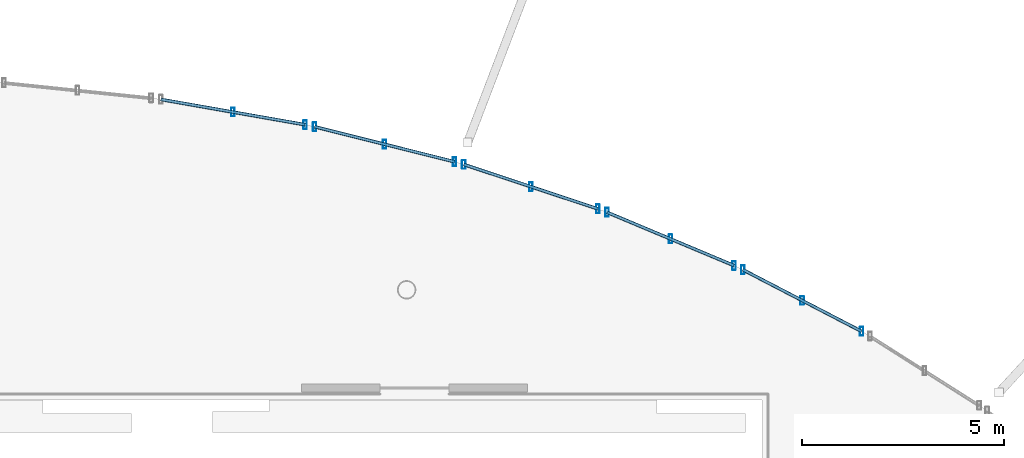
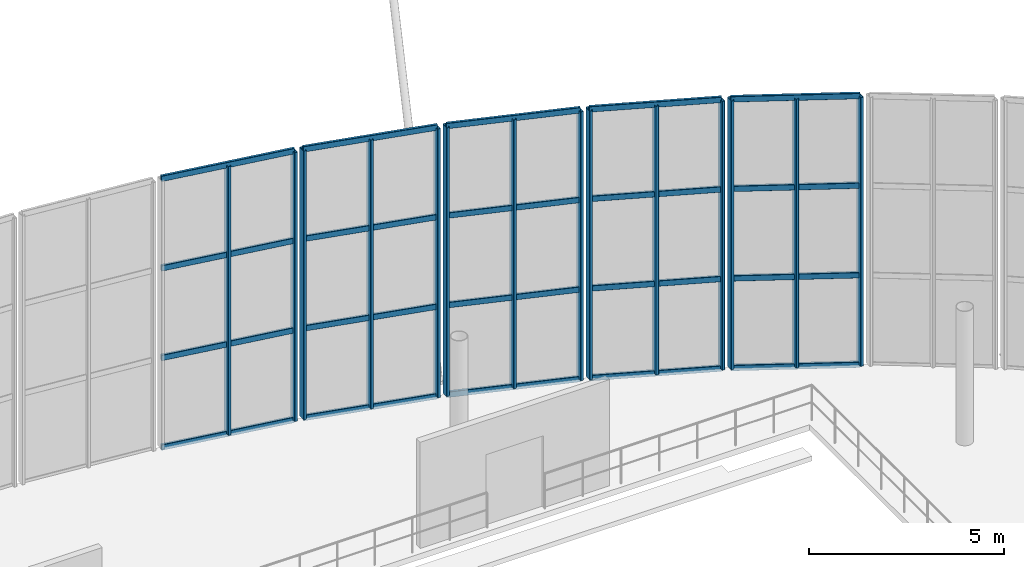
# One storey, part 39 of 109: 34 members, 5 elements without a shape of their own.
"""IFC4 building model written with IfcOpenShell, lengths in metres."""

from ifc_helpers import new_model, si_unit, derived_unit, direction, frame, origin, origin_2d, place, context, subcontext, project, spatial, hollow_rectangle, extrude, material, material_profile, profile_set, type_object, element, aggregate, save


model = new_model("IFC4")

# Units and contexts
model_context = context("Model", 3, precision=1e-05, world=origin(), true_north=direction((0.0, 1.0)))
body_context = subcontext(model_context, "Body", "Model", "MODEL_VIEW")
ifc_project = project(units=[si_unit("LENGTHUNIT", "METRE"), si_unit("AREAUNIT", "SQUARE_METRE"), si_unit("VOLUMEUNIT", "CUBIC_METRE"), si_unit("PLANEANGLEUNIT", "RADIAN"), si_unit("MASSUNIT", "GRAM", prefix="KILO"), derived_unit("THERMALTRANSMITTANCEUNIT", [(si_unit("MASSUNIT", "GRAM", prefix="KILO"), 1), (si_unit("TIMEUNIT", "SECOND"), -3), (si_unit("THERMODYNAMICTEMPERATUREUNIT", "KELVIN"), -1)])], contexts=[model_context])

# Site, building, storey
site_placement = place(None, origin())
site = spatial("IfcSite", under=ifc_project, at=site_placement, CompositionType="ELEMENT")
building_placement = place(site_placement, origin())
building = spatial("IfcBuilding", under=site, at=building_placement, Name="Kharveza Railside Sports Centre", CompositionType="ELEMENT")
storey_placement = place(building_placement, frame((0.0, 0.0, 4.5)))
storey = spatial("IfcBuildingStorey", under=building, at=storey_placement, Name="L01", CompositionType="ELEMENT", Elevation=4.5)

# Curtain wall, members
ifc_material_1 = material(Name="Low-E solar-control laminated glass", Category="glass")
curtain_wall_type = type_object("IfcCurtainWallType", Name="CW-DR01", PredefinedType="NOTDEFINED", material=ifc_material_1)
curtain_wall_1_placement = place(storey_placement, origin())
curtain_wall_1 = element("IfcCurtainWall", 1, at=curtain_wall_1_placement, inside=storey, type_object=curtain_wall_type, Name="CW-DRUM-10", PredefinedType="NOTDEFINED")
ifc_material_2 = material(Name="Anodised aluminium 6063-T6", Category="aluminium")
ifc_material_profile_1 = material_profile(ifc_material_2, hollow_rectangle(XDim=0.090087890625, YDim=0.219970703125, WallThickness=0.008056640625, InnerFilletRadius=0.008056640625, OuterFilletRadius=0.01611328125, at=origin_2d()), Name="RHS 90x220x8.0")
ifc_profile_set_1 = profile_set([ifc_material_profile_1], Name="Anodised aluminium 6063-T6")
member_type_1 = type_object("IfcMemberType", Name="CW-ML01", PredefinedType="MULLION", material=ifc_profile_set_1)
member_1_placement = place(storey_placement, frame((79.869140625, 72.099609375, 0.0), z_axis=(0.0, 0.0, 1.0), x_axis=(1.0, 0.0, 0.0)))
member_1 = element("IfcMember", 2, at=member_1_placement, type_object=member_type_1, Name="CW-DRUM-10-ML1", PredefinedType="MULLION", context=body_context, shape_type="SweptSolid", body=[
    extrude(hollow_rectangle(XDim=0.090087890625, YDim=0.219970703125, WallThickness=0.008056640625, InnerFilletRadius=0.008056640625, OuterFilletRadius=0.01611328125, at=origin_2d()), origin(), (0.0, 0.0, 1.0), 8.39990234375),
])
member_2_placement = place(storey_placement, frame((78.3994140625, 72.86279296875, 0.0), z_axis=(0.0, 0.0, 1.0), x_axis=(1.0, 0.0, 0.0)))
member_2 = element("IfcMember", 3, at=member_2_placement, type_object=member_type_1, Name="CW-DRUM-10-ML2", PredefinedType="MULLION", context=body_context, shape_type="SweptSolid", body=[
    extrude(hollow_rectangle(XDim=0.090087890625, YDim=0.219970703125, WallThickness=0.008056640625, InnerFilletRadius=0.008056640625, OuterFilletRadius=0.01611328125, at=origin_2d()), origin(), (0.0, 0.0, 1.0), 8.39990234375),
])
member_3_placement = place(storey_placement, frame((76.92919921875, 73.6259765625, 0.0), z_axis=(0.0, 0.0, 1.0), x_axis=(1.0, 0.0, 0.0)))
member_3 = element("IfcMember", 4, at=member_3_placement, type_object=member_type_1, Name="CW-DRUM-10-ML3", PredefinedType="MULLION", context=body_context, shape_type="SweptSolid", body=[
    extrude(hollow_rectangle(XDim=0.090087890625, YDim=0.219970703125, WallThickness=0.008056640625, InnerFilletRadius=0.008056640625, OuterFilletRadius=0.01611328125, at=origin_2d()), origin(), (0.0, 0.0, 1.0), 8.39990234375),
])

curtain_wall_2_placement = place(storey_placement, origin())
curtain_wall_2 = element("IfcCurtainWall", 5, at=curtain_wall_2_placement, inside=storey, type_object=curtain_wall_type, Name="CW-DRUM-11", PredefinedType="NOTDEFINED")
member_4_placement = place(storey_placement, frame((76.712158203125, 73.7275390625, 0.0), z_axis=(0.0, 0.0, 1.0), x_axis=(1.0, 0.0, 0.0)))
member_4 = element("IfcMember", 6, at=member_4_placement, type_object=member_type_1, Name="CW-DRUM-11-ML1", PredefinedType="MULLION", context=body_context, shape_type="SweptSolid", body=[
    extrude(hollow_rectangle(XDim=0.090087890625, YDim=0.219970703125, WallThickness=0.008056640625, InnerFilletRadius=0.008056640625, OuterFilletRadius=0.01611328125, at=origin_2d()), origin(), (0.0, 0.0, 1.0), 8.39990234375),
])
member_5_placement = place(storey_placement, frame((75.139404296875, 74.387451171875, 0.0), z_axis=(0.0, 0.0, 1.0), x_axis=(1.0, 0.0, 0.0)))
member_5 = element("IfcMember", 7, at=member_5_placement, type_object=member_type_1, Name="CW-DRUM-11-ML2", PredefinedType="MULLION", context=body_context, shape_type="SweptSolid", body=[
    extrude(hollow_rectangle(XDim=0.090087890625, YDim=0.219970703125, WallThickness=0.008056640625, InnerFilletRadius=0.008056640625, OuterFilletRadius=0.01611328125, at=origin_2d()), origin(), (0.0, 0.0, 1.0), 8.39990234375),
])
member_6_placement = place(storey_placement, frame((73.56640625, 75.04736328125, 0.0), z_axis=(0.0, 0.0, 1.0), x_axis=(1.0, 0.0, 0.0)))
member_6 = element("IfcMember", 8, at=member_6_placement, type_object=member_type_1, Name="CW-DRUM-11-ML3", PredefinedType="MULLION", context=body_context, shape_type="SweptSolid", body=[
    extrude(hollow_rectangle(XDim=0.090087890625, YDim=0.219970703125, WallThickness=0.008056640625, InnerFilletRadius=0.008056640625, OuterFilletRadius=0.01611328125, at=origin_2d()), origin(), (0.0, 0.0, 1.0), 8.39990234375),
])

curtain_wall_3_placement = place(storey_placement, origin())
curtain_wall_3 = element("IfcCurtainWall", 9, at=curtain_wall_3_placement, inside=storey, type_object=curtain_wall_type, Name="CW-DRUM-12", PredefinedType="NOTDEFINED")
member_7_placement = place(storey_placement, frame((73.342041015625, 75.131591796875, 0.0), z_axis=(0.0, 0.0, 1.0), x_axis=(1.0, 0.0, 0.0)))
member_7 = element("IfcMember", 10, at=member_7_placement, type_object=member_type_1, Name="CW-DRUM-12-ML1", PredefinedType="MULLION", context=body_context, shape_type="SweptSolid", body=[
    extrude(hollow_rectangle(XDim=0.090087890625, YDim=0.219970703125, WallThickness=0.008056640625, InnerFilletRadius=0.008056640625, OuterFilletRadius=0.01611328125, at=origin_2d()), origin(), (0.0, 0.0, 1.0), 8.39990234375),
])
member_8_placement = place(storey_placement, frame((71.681640625, 75.68115234375, 0.0), z_axis=(0.0, 0.0, 1.0), x_axis=(1.0, 0.0, 0.0)))
member_8 = element("IfcMember", 11, at=member_8_placement, type_object=member_type_1, Name="CW-DRUM-12-ML2", PredefinedType="MULLION", context=body_context, shape_type="SweptSolid", body=[
    extrude(hollow_rectangle(XDim=0.090087890625, YDim=0.219970703125, WallThickness=0.008056640625, InnerFilletRadius=0.008056640625, OuterFilletRadius=0.01611328125, at=origin_2d()), origin(), (0.0, 0.0, 1.0), 8.39990234375),
])
member_9_placement = place(storey_placement, frame((70.021240234375, 76.23095703125, 0.0), z_axis=(0.0, 0.0, 1.0), x_axis=(1.0, 0.0, 0.0)))
member_9 = element("IfcMember", 12, at=member_9_placement, type_object=member_type_1, Name="CW-DRUM-12-ML3", PredefinedType="MULLION", context=body_context, shape_type="SweptSolid", body=[
    extrude(hollow_rectangle(XDim=0.090087890625, YDim=0.219970703125, WallThickness=0.008056640625, InnerFilletRadius=0.008056640625, OuterFilletRadius=0.01611328125, at=origin_2d()), origin(), (0.0, 0.0, 1.0), 8.39990234375),
])

curtain_wall_4_placement = place(storey_placement, origin())
curtain_wall_4 = element("IfcCurtainWall", 13, at=curtain_wall_4_placement, inside=storey, type_object=curtain_wall_type, Name="CW-DRUM-13", PredefinedType="NOTDEFINED")
member_10_placement = place(storey_placement, frame((69.791015625, 76.2978515625, 0.0), z_axis=(0.0, 0.0, 1.0), x_axis=(1.0, 0.0, 0.0)))
member_10 = element("IfcMember", 14, at=member_10_placement, type_object=member_type_1, Name="CW-DRUM-13-ML1", PredefinedType="MULLION", context=body_context, shape_type="SweptSolid", body=[
    extrude(hollow_rectangle(XDim=0.090087890625, YDim=0.219970703125, WallThickness=0.008056640625, InnerFilletRadius=0.008056640625, OuterFilletRadius=0.01611328125, at=origin_2d()), origin(), (0.0, 0.0, 1.0), 8.39990234375),
])
member_11_placement = place(storey_placement, frame((68.059326171875, 76.7314453125, 0.0), z_axis=(0.0, 0.0, 1.0), x_axis=(1.0, 0.0, 0.0)))
member_11 = element("IfcMember", 15, at=member_11_placement, type_object=member_type_1, Name="CW-DRUM-13-ML2", PredefinedType="MULLION", context=body_context, shape_type="SweptSolid", body=[
    extrude(hollow_rectangle(XDim=0.090087890625, YDim=0.219970703125, WallThickness=0.008056640625, InnerFilletRadius=0.008056640625, OuterFilletRadius=0.01611328125, at=origin_2d()), origin(), (0.0, 0.0, 1.0), 8.39990234375),
])
member_12_placement = place(storey_placement, frame((66.327880859375, 77.165283203125, 0.0), z_axis=(0.0, 0.0, 1.0), x_axis=(1.0, 0.0, 0.0)))
member_12 = element("IfcMember", 16, at=member_12_placement, type_object=member_type_1, Name="CW-DRUM-13-ML3", PredefinedType="MULLION", context=body_context, shape_type="SweptSolid", body=[
    extrude(hollow_rectangle(XDim=0.090087890625, YDim=0.219970703125, WallThickness=0.008056640625, InnerFilletRadius=0.008056640625, OuterFilletRadius=0.01611328125, at=origin_2d()), origin(), (0.0, 0.0, 1.0), 8.39990234375),
])

curtain_wall_5_placement = place(storey_placement, origin())
curtain_wall_5 = element("IfcCurtainWall", 17, at=curtain_wall_5_placement, inside=storey, type_object=curtain_wall_type, Name="CW-DRUM-14", PredefinedType="NOTDEFINED")
member_13_placement = place(storey_placement, frame((66.09326171875, 77.215087890625, 0.0), z_axis=(0.0, 0.0, 1.0), x_axis=(1.0, 0.0, 0.0)))
member_13 = element("IfcMember", 18, at=member_13_placement, type_object=member_type_1, Name="CW-DRUM-14-ML1", PredefinedType="MULLION", context=body_context, shape_type="SweptSolid", body=[
    extrude(hollow_rectangle(XDim=0.090087890625, YDim=0.219970703125, WallThickness=0.008056640625, InnerFilletRadius=0.008056640625, OuterFilletRadius=0.01611328125, at=origin_2d()), origin(), (0.0, 0.0, 1.0), 8.39990234375),
])
member_14_placement = place(storey_placement, frame((64.3076171875, 77.5283203125, 0.0), z_axis=(0.0, 0.0, 1.0), x_axis=(1.0, 0.0, 0.0)))
member_14 = element("IfcMember", 19, at=member_14_placement, type_object=member_type_1, Name="CW-DRUM-14-ML2", PredefinedType="MULLION", context=body_context, shape_type="SweptSolid", body=[
    extrude(hollow_rectangle(XDim=0.090087890625, YDim=0.219970703125, WallThickness=0.008056640625, InnerFilletRadius=0.008056640625, OuterFilletRadius=0.01611328125, at=origin_2d()), origin(), (0.0, 0.0, 1.0), 8.39990234375),
])

# Member
ifc_material_profile_2 = material_profile(ifc_material_2, hollow_rectangle(XDim=0.080078125, YDim=0.179931640625, WallThickness=0.00634765625, InnerFilletRadius=0.00634765625, OuterFilletRadius=0.0126953125, at=origin_2d()), Name="RHS 80x180x6.3")
ifc_profile_set_2 = profile_set([ifc_material_profile_2], Name="Anodised aluminium 6063-T6")
member_type_2 = type_object("IfcMemberType", Name="CW-TR01", PredefinedType="USERDEFINED", material=ifc_profile_set_2)
member_15_placement = place(storey_placement, frame((79.869140625, 72.099609375, 0.0), z_axis=(-0.887513465688, 0.460781779395, 0.0), x_axis=(-0.460781779395, -0.887513465688, 0.0)))
member_15 = element("IfcMember", 20, at=member_15_placement, type_object=member_type_2, Name="CW-DRUM-10-TR1", ObjectType="TRANSOM", PredefinedType="USERDEFINED", context=body_context, shape_type="SweptSolid", body=[
    extrude(hollow_rectangle(XDim=0.080078125, YDim=0.179931640625, WallThickness=0.00634765625, InnerFilletRadius=0.00634765625, OuterFilletRadius=0.0126953125, at=origin_2d()), origin(), (0.0, 0.0, 1.0), 3.3125),
])

member_16_placement = place(storey_placement, frame((79.869140625, 72.099609375, 2.800048828125), z_axis=(-0.887513465688, 0.460781779395, 0.0), x_axis=(-0.460781779395, -0.887513465688, 0.0)))
member_16 = element("IfcMember", 21, at=member_16_placement, type_object=member_type_2, Name="CW-DRUM-10-TR2", ObjectType="TRANSOM", PredefinedType="USERDEFINED", context=body_context, shape_type="SweptSolid", body=[
    extrude(hollow_rectangle(XDim=0.080078125, YDim=0.179931640625, WallThickness=0.00634765625, InnerFilletRadius=0.00634765625, OuterFilletRadius=0.0126953125, at=origin_2d()), origin(), (0.0, 0.0, 1.0), 3.3125),
])

member_17_placement = place(storey_placement, frame((79.869140625, 72.099609375, 5.60009765625), z_axis=(-0.887513465688, 0.460781779395, 0.0), x_axis=(-0.460781779395, -0.887513465688, 0.0)))
member_17 = element("IfcMember", 22, at=member_17_placement, type_object=member_type_2, Name="CW-DRUM-10-TR3", ObjectType="TRANSOM", PredefinedType="USERDEFINED", context=body_context, shape_type="SweptSolid", body=[
    extrude(hollow_rectangle(XDim=0.080078125, YDim=0.179931640625, WallThickness=0.00634765625, InnerFilletRadius=0.00634765625, OuterFilletRadius=0.0126953125, at=origin_2d()), origin(), (0.0, 0.0, 1.0), 3.3125),
])

member_18_placement = place(storey_placement, frame((79.869140625, 72.099609375, 8.39990234375), z_axis=(-0.887513465688, 0.460781779395, 0.0), x_axis=(-0.460781779395, -0.887513465688, 0.0)))
member_18 = element("IfcMember", 23, at=member_18_placement, type_object=member_type_2, Name="CW-DRUM-10-TR4", ObjectType="TRANSOM", PredefinedType="USERDEFINED", context=body_context, shape_type="SweptSolid", body=[
    extrude(hollow_rectangle(XDim=0.080078125, YDim=0.179931640625, WallThickness=0.00634765625, InnerFilletRadius=0.00634765625, OuterFilletRadius=0.0126953125, at=origin_2d()), origin(), (0.0, 0.0, 1.0), 3.3125),
])

aggregate(curtain_wall_1, [member_1, member_2, member_3, member_15, member_16, member_17, member_18])

member_19_placement = place(storey_placement, frame((76.712158203125, 73.7275390625, 0.0), z_axis=(-0.922127678755, 0.386885698979, 0.0), x_axis=(-0.386885698979, -0.922127678755, 0.0)))
member_19 = element("IfcMember", 24, at=member_19_placement, type_object=member_type_2, Name="CW-DRUM-11-TR1", ObjectType="TRANSOM", PredefinedType="USERDEFINED", context=body_context, shape_type="SweptSolid", body=[
    extrude(hollow_rectangle(XDim=0.080078125, YDim=0.179931640625, WallThickness=0.00634765625, InnerFilletRadius=0.00634765625, OuterFilletRadius=0.0126953125, at=origin_2d()), origin(), (0.0, 0.0, 1.0), 3.411376953125),
])

member_20_placement = place(storey_placement, frame((76.712158203125, 73.7275390625, 2.800048828125), z_axis=(-0.922127678755, 0.386885698979, 0.0), x_axis=(-0.386885698979, -0.922127678755, 0.0)))
member_20 = element("IfcMember", 25, at=member_20_placement, type_object=member_type_2, Name="CW-DRUM-11-TR2", ObjectType="TRANSOM", PredefinedType="USERDEFINED", context=body_context, shape_type="SweptSolid", body=[
    extrude(hollow_rectangle(XDim=0.080078125, YDim=0.179931640625, WallThickness=0.00634765625, InnerFilletRadius=0.00634765625, OuterFilletRadius=0.0126953125, at=origin_2d()), origin(), (0.0, 0.0, 1.0), 3.411376953125),
])

member_21_placement = place(storey_placement, frame((76.712158203125, 73.7275390625, 5.60009765625), z_axis=(-0.922127678755, 0.386885698979, 0.0), x_axis=(-0.386885698979, -0.922127678755, 0.0)))
member_21 = element("IfcMember", 26, at=member_21_placement, type_object=member_type_2, Name="CW-DRUM-11-TR3", ObjectType="TRANSOM", PredefinedType="USERDEFINED", context=body_context, shape_type="SweptSolid", body=[
    extrude(hollow_rectangle(XDim=0.080078125, YDim=0.179931640625, WallThickness=0.00634765625, InnerFilletRadius=0.00634765625, OuterFilletRadius=0.0126953125, at=origin_2d()), origin(), (0.0, 0.0, 1.0), 3.411376953125),
])

member_22_placement = place(storey_placement, frame((76.712158203125, 73.7275390625, 8.39990234375), z_axis=(-0.922127678755, 0.386885698979, 0.0), x_axis=(-0.386885698979, -0.922127678755, 0.0)))
member_22 = element("IfcMember", 27, at=member_22_placement, type_object=member_type_2, Name="CW-DRUM-11-TR4", ObjectType="TRANSOM", PredefinedType="USERDEFINED", context=body_context, shape_type="SweptSolid", body=[
    extrude(hollow_rectangle(XDim=0.080078125, YDim=0.179931640625, WallThickness=0.00634765625, InnerFilletRadius=0.00634765625, OuterFilletRadius=0.0126953125, at=origin_2d()), origin(), (0.0, 0.0, 1.0), 3.411376953125),
])

aggregate(curtain_wall_2, [member_4, member_5, member_6, member_19, member_20, member_21, member_22])

member_23_placement = place(storey_placement, frame((73.342041015625, 75.131591796875, 0.0), z_axis=(-0.949330378628, 0.314279862885, 0.0), x_axis=(-0.314279862885, -0.949330378628, 0.0)))
member_23 = element("IfcMember", 28, at=member_23_placement, type_object=member_type_2, Name="CW-DRUM-12-TR1", ObjectType="TRANSOM", PredefinedType="USERDEFINED", context=body_context, shape_type="SweptSolid", body=[
    extrude(hollow_rectangle(XDim=0.080078125, YDim=0.179931640625, WallThickness=0.00634765625, InnerFilletRadius=0.00634765625, OuterFilletRadius=0.0126953125, at=origin_2d()), origin(), (0.0, 0.0, 1.0), 3.498046875),
])

member_24_placement = place(storey_placement, frame((73.342041015625, 75.131591796875, 2.800048828125), z_axis=(-0.949330378628, 0.314279862885, 0.0), x_axis=(-0.314279862885, -0.949330378628, 0.0)))
member_24 = element("IfcMember", 29, at=member_24_placement, type_object=member_type_2, Name="CW-DRUM-12-TR2", ObjectType="TRANSOM", PredefinedType="USERDEFINED", context=body_context, shape_type="SweptSolid", body=[
    extrude(hollow_rectangle(XDim=0.080078125, YDim=0.179931640625, WallThickness=0.00634765625, InnerFilletRadius=0.00634765625, OuterFilletRadius=0.0126953125, at=origin_2d()), origin(), (0.0, 0.0, 1.0), 3.498046875),
])

member_25_placement = place(storey_placement, frame((73.342041015625, 75.131591796875, 5.60009765625), z_axis=(-0.949330378628, 0.314279862885, 0.0), x_axis=(-0.314279862885, -0.949330378628, 0.0)))
member_25 = element("IfcMember", 30, at=member_25_placement, type_object=member_type_2, Name="CW-DRUM-12-TR3", ObjectType="TRANSOM", PredefinedType="USERDEFINED", context=body_context, shape_type="SweptSolid", body=[
    extrude(hollow_rectangle(XDim=0.080078125, YDim=0.179931640625, WallThickness=0.00634765625, InnerFilletRadius=0.00634765625, OuterFilletRadius=0.0126953125, at=origin_2d()), origin(), (0.0, 0.0, 1.0), 3.498046875),
])

member_26_placement = place(storey_placement, frame((73.342041015625, 75.131591796875, 8.39990234375), z_axis=(-0.949330378628, 0.314279862885, 0.0), x_axis=(-0.314279862885, -0.949330378628, 0.0)))
member_26 = element("IfcMember", 31, at=member_26_placement, type_object=member_type_2, Name="CW-DRUM-12-TR4", ObjectType="TRANSOM", PredefinedType="USERDEFINED", context=body_context, shape_type="SweptSolid", body=[
    extrude(hollow_rectangle(XDim=0.080078125, YDim=0.179931640625, WallThickness=0.00634765625, InnerFilletRadius=0.00634765625, OuterFilletRadius=0.0126953125, at=origin_2d()), origin(), (0.0, 0.0, 1.0), 3.498046875),
])

aggregate(curtain_wall_3, [member_7, member_8, member_9, member_23, member_24, member_25, member_26])

member_27_placement = place(storey_placement, frame((69.791015625, 76.2978515625, 0.0), z_axis=(-0.970033792232, 0.242970043271, 0.0), x_axis=(-0.242970043271, -0.970033792232, 0.0)))
member_27 = element("IfcMember", 32, at=member_27_placement, type_object=member_type_2, Name="CW-DRUM-13-TR1", ObjectType="TRANSOM", PredefinedType="USERDEFINED", context=body_context, shape_type="SweptSolid", body=[
    extrude(hollow_rectangle(XDim=0.080078125, YDim=0.179931640625, WallThickness=0.00634765625, InnerFilletRadius=0.00634765625, OuterFilletRadius=0.0126953125, at=origin_2d()), origin(), (0.0, 0.0, 1.0), 3.570068359375),
])

member_28_placement = place(storey_placement, frame((69.791015625, 76.2978515625, 2.800048828125), z_axis=(-0.970033792232, 0.242970043271, 0.0), x_axis=(-0.242970043271, -0.970033792232, 0.0)))
member_28 = element("IfcMember", 33, at=member_28_placement, type_object=member_type_2, Name="CW-DRUM-13-TR2", ObjectType="TRANSOM", PredefinedType="USERDEFINED", context=body_context, shape_type="SweptSolid", body=[
    extrude(hollow_rectangle(XDim=0.080078125, YDim=0.179931640625, WallThickness=0.00634765625, InnerFilletRadius=0.00634765625, OuterFilletRadius=0.0126953125, at=origin_2d()), origin(), (0.0, 0.0, 1.0), 3.570068359375),
])

member_29_placement = place(storey_placement, frame((69.791015625, 76.2978515625, 5.60009765625), z_axis=(-0.970033792232, 0.242970043271, 0.0), x_axis=(-0.242970043271, -0.970033792232, 0.0)))
member_29 = element("IfcMember", 34, at=member_29_placement, type_object=member_type_2, Name="CW-DRUM-13-TR3", ObjectType="TRANSOM", PredefinedType="USERDEFINED", context=body_context, shape_type="SweptSolid", body=[
    extrude(hollow_rectangle(XDim=0.080078125, YDim=0.179931640625, WallThickness=0.00634765625, InnerFilletRadius=0.00634765625, OuterFilletRadius=0.0126953125, at=origin_2d()), origin(), (0.0, 0.0, 1.0), 3.570068359375),
])

member_30_placement = place(storey_placement, frame((69.791015625, 76.2978515625, 8.39990234375), z_axis=(-0.970033792232, 0.242970043271, 0.0), x_axis=(-0.242970043271, -0.970033792232, 0.0)))
member_30 = element("IfcMember", 35, at=member_30_placement, type_object=member_type_2, Name="CW-DRUM-13-TR4", ObjectType="TRANSOM", PredefinedType="USERDEFINED", context=body_context, shape_type="SweptSolid", body=[
    extrude(hollow_rectangle(XDim=0.080078125, YDim=0.179931640625, WallThickness=0.00634765625, InnerFilletRadius=0.00634765625, OuterFilletRadius=0.0126953125, at=origin_2d()), origin(), (0.0, 0.0, 1.0), 3.570068359375),
])

aggregate(curtain_wall_4, [member_10, member_11, member_12, member_27, member_28, member_29, member_30])

member_31_placement = place(storey_placement, frame((66.09326171875, 77.215087890625, 0.0), z_axis=(-0.984974108724, 0.172702070468, 0.0), x_axis=(-0.172702070468, -0.984974108724, 0.0)))
member_31 = element("IfcMember", 36, at=member_31_placement, type_object=member_type_2, Name="CW-DRUM-14-TR1", ObjectType="TRANSOM", PredefinedType="USERDEFINED", context=body_context, shape_type="SweptSolid", body=[
    extrude(hollow_rectangle(XDim=0.080078125, YDim=0.179931640625, WallThickness=0.00634765625, InnerFilletRadius=0.00634765625, OuterFilletRadius=0.0126953125, at=origin_2d()), origin(), (0.0, 0.0, 1.0), 3.6259765625),
])

member_32_placement = place(storey_placement, frame((66.09326171875, 77.215087890625, 2.800048828125), z_axis=(-0.984974108724, 0.172702070468, 0.0), x_axis=(-0.172702070468, -0.984974108724, 0.0)))
member_32 = element("IfcMember", 37, at=member_32_placement, type_object=member_type_2, Name="CW-DRUM-14-TR2", ObjectType="TRANSOM", PredefinedType="USERDEFINED", context=body_context, shape_type="SweptSolid", body=[
    extrude(hollow_rectangle(XDim=0.080078125, YDim=0.179931640625, WallThickness=0.00634765625, InnerFilletRadius=0.00634765625, OuterFilletRadius=0.0126953125, at=origin_2d()), origin(), (0.0, 0.0, 1.0), 3.6259765625),
])

member_33_placement = place(storey_placement, frame((66.09326171875, 77.215087890625, 5.60009765625), z_axis=(-0.984974108724, 0.172702070468, 0.0), x_axis=(-0.172702070468, -0.984974108724, 0.0)))
member_33 = element("IfcMember", 38, at=member_33_placement, type_object=member_type_2, Name="CW-DRUM-14-TR3", ObjectType="TRANSOM", PredefinedType="USERDEFINED", context=body_context, shape_type="SweptSolid", body=[
    extrude(hollow_rectangle(XDim=0.080078125, YDim=0.179931640625, WallThickness=0.00634765625, InnerFilletRadius=0.00634765625, OuterFilletRadius=0.0126953125, at=origin_2d()), origin(), (0.0, 0.0, 1.0), 3.6259765625),
])

member_34_placement = place(storey_placement, frame((66.09326171875, 77.215087890625, 8.39990234375), z_axis=(-0.984974108724, 0.172702070468, 0.0), x_axis=(-0.172702070468, -0.984974108724, 0.0)))
member_34 = element("IfcMember", 39, at=member_34_placement, type_object=member_type_2, Name="CW-DRUM-14-TR4", ObjectType="TRANSOM", PredefinedType="USERDEFINED", context=body_context, shape_type="SweptSolid", body=[
    extrude(hollow_rectangle(XDim=0.080078125, YDim=0.179931640625, WallThickness=0.00634765625, InnerFilletRadius=0.00634765625, OuterFilletRadius=0.0126953125, at=origin_2d()), origin(), (0.0, 0.0, 1.0), 3.6259765625),
])

aggregate(curtain_wall_5, [member_13, member_14, member_31, member_32, member_33, member_34])

save(model, "model.ifc")
